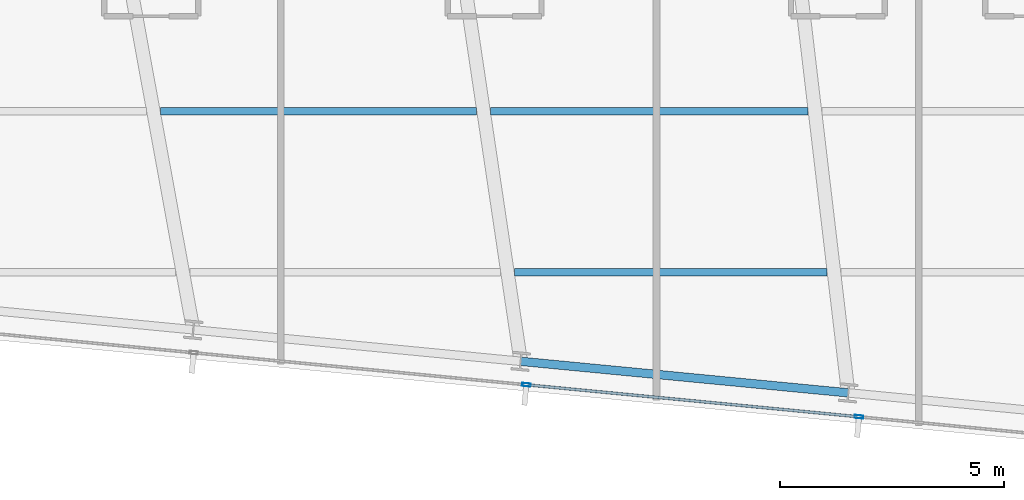
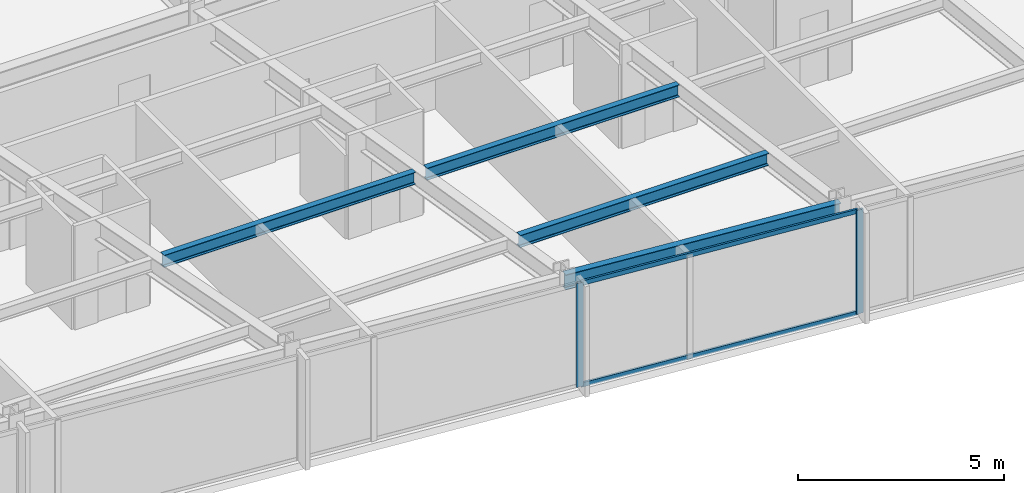
# One storey, part 12 of 37: 4 beams, 4 members, 1 element without a shape of its own.
"""IFC4 building model written with IfcOpenShell, lengths in metres."""

from ifc_helpers import new_model, si_unit, direction, frame, origin, origin_2d, place, context, subcontext, project, spatial, hollow_rectangle, i_section, extrude, material, material_profile, profile_set, type_object, element, aggregate, save


model = new_model("IFC4")

# Units and contexts
model_context = context("Model", 3, precision=1e-05, world=origin(), true_north=direction((0.0, 1.0)))
body_context = subcontext(model_context, "Body", "Model", "MODEL_VIEW")
ifc_project = project(units=[si_unit("LENGTHUNIT", "METRE"), si_unit("AREAUNIT", "SQUARE_METRE"), si_unit("VOLUMEUNIT", "CUBIC_METRE"), si_unit("PLANEANGLEUNIT", "RADIAN"), si_unit("MASSUNIT", "GRAM", prefix="KILO")], contexts=[model_context])

# Site, building, storey
site_placement = place(None, origin())
site = spatial("IfcSite", under=ifc_project, at=site_placement, CompositionType="ELEMENT")
building_placement = place(site_placement, origin())
building = spatial("IfcBuilding", under=site, at=building_placement, Name="Yelkora Congress Tower", CompositionType="ELEMENT")
storey_placement = place(building_placement, frame((0.0, 0.0, 165.5)))
storey = spatial("IfcBuildingStorey", under=building, at=storey_placement, Name="L45", CompositionType="ELEMENT", Elevation=165.5)

# Beams
ifc_material_1 = material(Name="Steel S355J2", Category="steel")
ifc_material_profile_1 = material_profile(ifc_material_1, i_section(OverallWidth=0.169921875, OverallDepth=0.360107421875, WebThickness=0.008056640625, FlangeThickness=0.0126953125, FilletRadius=0.01806640625, at=origin_2d()), Name="IPE 360")
ifc_profile_set_1 = profile_set([ifc_material_profile_1], Name="Steel S355J2")
beam_type_1 = type_object("IfcBeamType", Name="BM-JOIST-IPE360", PredefinedType="JOIST", material=ifc_profile_set_1)
beam_1_placement = place(storey_placement, frame((40.39990234375, 12.8212890625, 2.89990234375), z_axis=(1.0, 0.0, 0.0), x_axis=(0.0, 1.0, 0.0)))
element("IfcBeam", 1, at=beam_1_placement, inside=storey, type_object=beam_type_1, Name="L45 Composite Floor Joist 3", PredefinedType="JOIST", context=body_context, shape_type="SweptSolid", body=[
    extrude(i_section(OverallWidth=0.169921875, OverallDepth=0.360107421875, WebThickness=0.008056640625, FlangeThickness=0.0126953125, FilletRadius=0.01806640625, at=origin_2d()), origin(), (0.0, 0.0, 1.0), 6.98095703125),
])
beam_2_placement = place(storey_placement, frame((32.481201171875, 16.421142578125, 2.89990234375), z_axis=(1.0, 0.0, 0.0), x_axis=(0.0, 1.0, 0.0)))
element("IfcBeam", 2, at=beam_2_placement, inside=storey, type_object=beam_type_1, Name="L45 Composite Floor Joist 9", PredefinedType="JOIST", context=body_context, shape_type="SweptSolid", body=[
    extrude(i_section(OverallWidth=0.169921875, OverallDepth=0.360107421875, WebThickness=0.008056640625, FlangeThickness=0.0126953125, FilletRadius=0.01806640625, at=origin_2d()), origin(), (0.0, 0.0, 1.0), 7.063720703125),
])
beam_3_placement = place(storey_placement, frame((39.86474609375, 16.421142578125, 2.89990234375), z_axis=(1.0, 0.0, 0.0), x_axis=(0.0, 1.0, 0.0)))
element("IfcBeam", 3, at=beam_3_placement, inside=storey, type_object=beam_type_1, Name="L45 Composite Floor Joist 10", PredefinedType="JOIST", context=body_context, shape_type="SweptSolid", body=[
    extrude(i_section(OverallWidth=0.169921875, OverallDepth=0.360107421875, WebThickness=0.008056640625, FlangeThickness=0.0126953125, FilletRadius=0.01806640625, at=origin_2d()), origin(), (0.0, 0.0, 1.0), 7.09130859375),
])
ifc_material_profile_2 = material_profile(ifc_material_1, i_section(OverallWidth=0.18994140625, OverallDepth=0.449951171875, WebThickness=0.009521484375, FlangeThickness=0.0146484375, FilletRadius=0.02099609375, at=origin_2d()), Name="IPE 450")
ifc_profile_set_2 = profile_set([ifc_material_profile_2], Name="Steel S355J2")
beam_type_2 = type_object("IfcBeamType", Name="BM-SPAN-IPE450", PredefinedType="SPANDREL", material=ifc_profile_set_2)
beam_4_placement = place(storey_placement, frame((40.53564453125, 10.83154296875, 2.85498046875), z_axis=(0.995397104697, -0.095836339457, 0.0), x_axis=(0.095836339457, 0.995397104697, 0.0)))
element("IfcBeam", 4, at=beam_4_placement, inside=storey, type_object=beam_type_2, Name="L45 Perimeter Beam 7", PredefinedType="SPANDREL", context=body_context, shape_type="SweptSolid", body=[
    extrude(i_section(OverallWidth=0.18994140625, OverallDepth=0.449951171875, WebThickness=0.009521484375, FlangeThickness=0.0146484375, FilletRadius=0.02099609375, at=origin_2d()), origin(), (0.0, 0.0, 1.0), 7.357177734375),
])

# Curtain wall, members
ifc_material_2 = material(Name="Anodised aluminium and insulated glass", Category="aluminium")
curtain_wall_type = type_object("IfcCurtainWallType", Name="CW-SYS-B3", PredefinedType="NOTDEFINED", material=ifc_material_2)
curtain_wall_placement = place(storey_placement, origin())
curtain_wall = element("IfcCurtainWall", 5, at=curtain_wall_placement, inside=storey, type_object=curtain_wall_type, Name="L45 Unitised Curtain Wall 20", PredefinedType="NOTDEFINED")
ifc_material_3 = material(Name="Anodised aluminium 6063-T6", Category="aluminium")
ifc_material_profile_3 = material_profile(ifc_material_3, hollow_rectangle(XDim=0.070068359375, YDim=0.18994140625, WallThickness=0.00390625, at=origin_2d()), Name="ALU 70x190x4")
ifc_profile_set_3 = profile_set([ifc_material_profile_3], Name="Anodised aluminium 6063-T6")
member_type_1 = type_object("IfcMemberType", Name="MEM-ML-B3", PredefinedType="MULLION", material=ifc_profile_set_3)
member_1_placement = place(storey_placement, frame((48.1015625, 9.590576171875, 0.0), z_axis=(0.0, 0.0, 1.0), x_axis=(-0.095844680679, -0.995396301573, 0.0)))
member_1 = element("IfcMember", 6, at=member_1_placement, type_object=member_type_1, Name="CW-B3 mullion 2", PredefinedType="MULLION", context=body_context, shape_type="SweptSolid", body=[
    extrude(hollow_rectangle(XDim=0.070068359375, YDim=0.18994140625, WallThickness=0.00390625, at=origin_2d()), origin(), (0.0, 0.0, 1.0), 3.080078125),
])
member_2_placement = place(storey_placement, frame((40.66162109375, 10.30712890625, 0.0), z_axis=(0.0, 0.0, 1.0), x_axis=(-0.095844680679, -0.995396301573, 0.0)))
member_2 = element("IfcMember", 7, at=member_2_placement, type_object=member_type_1, Name="CW-B3 mullion 3", PredefinedType="MULLION", context=body_context, shape_type="SweptSolid", body=[
    extrude(hollow_rectangle(XDim=0.070068359375, YDim=0.18994140625, WallThickness=0.00390625, at=origin_2d()), origin(), (0.0, 0.0, 1.0), 3.080078125),
])
ifc_material_profile_4 = material_profile(ifc_material_3, hollow_rectangle(XDim=0.06005859375, YDim=0.1298828125, WallThickness=0.00390625, at=origin_2d()), Name="ALU 60x130x4")
ifc_profile_set_4 = profile_set([ifc_material_profile_4], Name="Anodised aluminium 6063-T6")
member_type_2 = type_object("IfcMemberType", Name="MEM-TR-B3", PredefinedType="USERDEFINED", material=ifc_profile_set_4)
member_3_placement = place(storey_placement, frame((48.066650390625, 9.593994140625, 0.030029296875), z_axis=(-0.99539548672, 0.095853142967, 0.0), x_axis=(-0.095853142967, -0.99539548672, 0.0)))
member_3 = element("IfcMember", 8, at=member_3_placement, type_object=member_type_2, Name="CW-B3 transom 2.1", ObjectType="TRANSOM", PredefinedType="USERDEFINED", context=body_context, shape_type="SweptSolid", body=[
    extrude(hollow_rectangle(XDim=0.06005859375, YDim=0.1298828125, WallThickness=0.00390625, at=origin_2d()), origin(), (0.0, 0.0, 1.0), 7.404296875),
])
member_4_placement = place(storey_placement, frame((48.066650390625, 9.593994140625, 3.050048828125), z_axis=(-0.99539548672, 0.095853142967, 0.0), x_axis=(-0.095853142967, -0.99539548672, 0.0)))
member_4 = element("IfcMember", 9, at=member_4_placement, type_object=member_type_2, Name="CW-B3 transom 2.2", ObjectType="TRANSOM", PredefinedType="USERDEFINED", context=body_context, shape_type="SweptSolid", body=[
    extrude(hollow_rectangle(XDim=0.06005859375, YDim=0.1298828125, WallThickness=0.00390625, at=origin_2d()), origin(), (0.0, 0.0, 1.0), 7.404296875),
])
aggregate(curtain_wall, [member_1, member_2, member_3, member_4])

save(model, "model.ifc")
